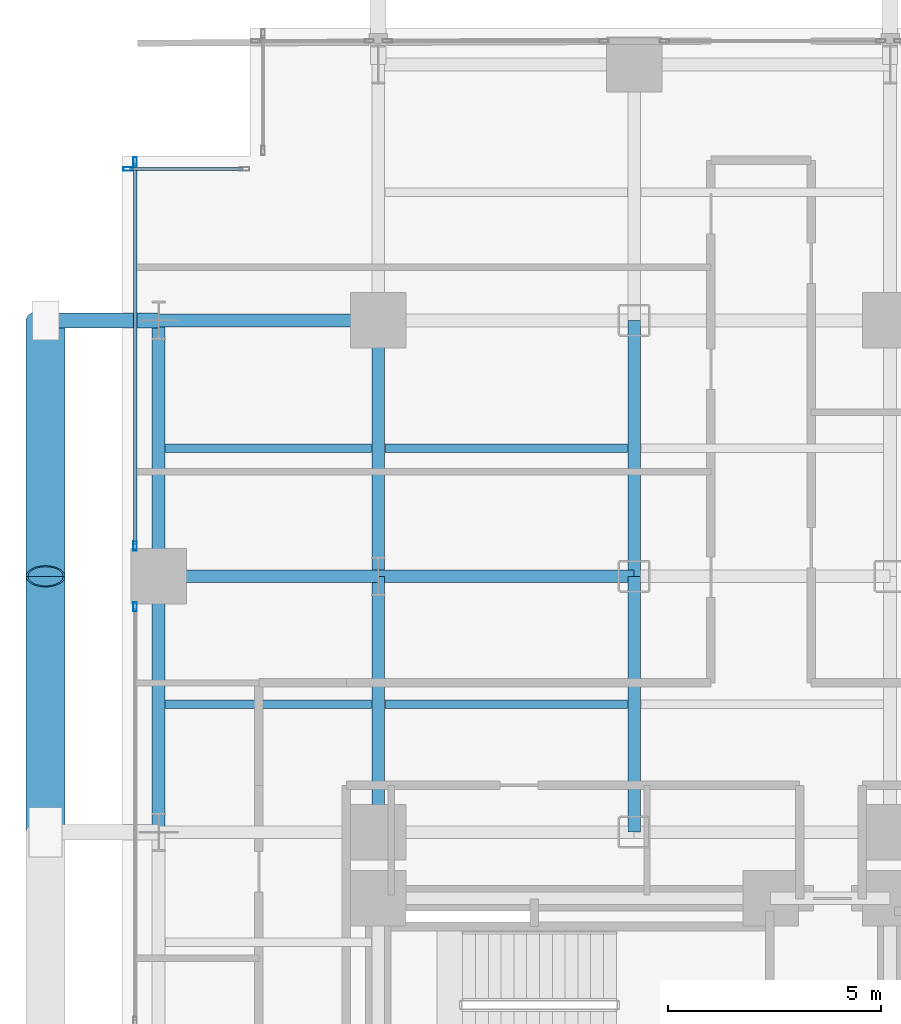
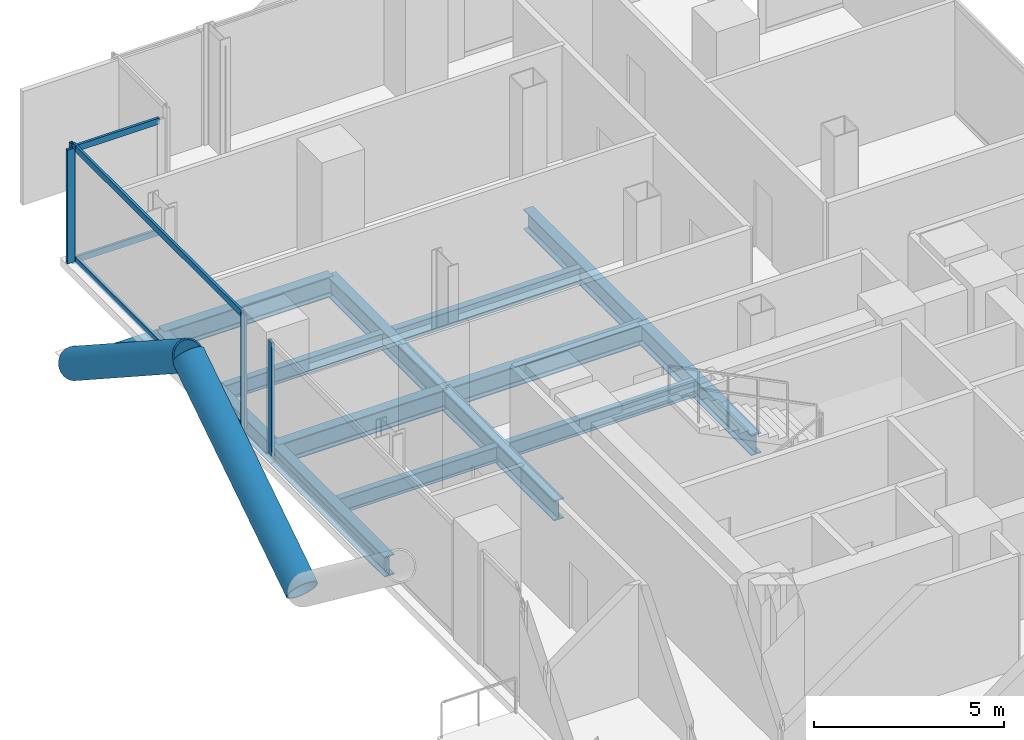
# One storey, part 13 of 25: 13 beams, 11 members, 3 elements without a shape of their own.
"""IFC4 building model written with IfcOpenShell, lengths in metres."""

from ifc_helpers import new_model, si_unit, direction, frame, origin, origin_2d, place, context, subcontext, project, spatial, hollow_rectangle, hollow_circle, i_section, extrude, material, layer, layer_set, material_profile, profile_set, type_object, element, aggregate, save


model = new_model("IFC4")

# Units and contexts
model_context = context("Model", 3, precision=1e-05, world=origin(), true_north=direction((0.0, 1.0)))
body_context = subcontext(model_context, "Body", "Model", "MODEL_VIEW")
ifc_project = project(units=[si_unit("LENGTHUNIT", "METRE"), si_unit("AREAUNIT", "SQUARE_METRE"), si_unit("VOLUMEUNIT", "CUBIC_METRE"), si_unit("PLANEANGLEUNIT", "RADIAN"), si_unit("MASSUNIT", "GRAM", prefix="KILO"), si_unit("THERMODYNAMICTEMPERATUREUNIT", "KELVIN"), si_unit("POWERUNIT", "WATT")], contexts=[model_context])

# Site, building, storey
site_placement = place(None, origin())
site = spatial("IfcSite", under=ifc_project, at=site_placement, CompositionType="ELEMENT")
building_placement = place(site_placement, origin())
building = spatial("IfcBuilding", under=site, at=building_placement, Name="Svarakhadi Broadcast Tower", CompositionType="ELEMENT")
storey_placement = place(building_placement, frame((0.0, 0.0, 63.60009765625)))
storey = spatial("IfcBuildingStorey", under=building, at=storey_placement, Name="L14", CompositionType="ELEMENT", Elevation=63.60009765625)

# Beams
ifc_material_1 = material(Name="Steel S355J2 (IS 2062 E350C)", Category="steel")
ifc_material_profile_1 = material_profile(ifc_material_1, i_section(OverallWidth=0.199951171875, OverallDepth=0.5, WebThickness=0.01025390625, FlangeThickness=0.01611328125, FilletRadius=0.02099609375, at=origin_2d()), Name="NPB 500x200x91")
ifc_profile_set_1 = profile_set([ifc_material_profile_1], Name="Steel S355J2 (IS 2062 E350C)")
beam_type_1 = type_object("IfcBeamType", Name="Beam_NPB500", PredefinedType="BEAM", material=ifc_profile_set_1)
for number, where, z_axis, x_axis, name in (
    (1, (1.010009765625, 32.14990234375, -0.5), (1.0, 0.0, 0.0), (0.0, 1.0, 0.0), "L14 Secondary Composite Beam SB005"),
    (2, (1.010009765625, 38.14990234375, -0.5), (1.0, 0.0, 0.0), (0.0, 1.0, 0.0), "L14 Secondary Composite Beam SB006"),
):
    element("IfcBeam", number, at=place(storey_placement, frame(where, z_axis=z_axis, x_axis=x_axis)), inside=storey, type_object=beam_type_1, Name=name, PredefinedType="BEAM", context=body_context, shape_type="SweptSolid", body=[
        extrude(i_section(OverallWidth=0.199951171875, OverallDepth=0.5, WebThickness=0.01025390625, FlangeThickness=0.01611328125, FilletRadius=0.02099609375, at=origin_2d()), origin(), (0.0, 0.0, 1.0), 4.830078125),
    ])
for number, where, z_axis, x_axis, name in (
    (3, (6.159912109375, 32.14990234375, -0.5), (1.0, 0.0, 0.0), (0.0, 1.0, 0.0), "L14 Secondary Composite Beam SB010"),
    (4, (6.159912109375, 38.14990234375, -0.5), (1.0, 0.0, 0.0), (0.0, 1.0, 0.0), "L14 Secondary Composite Beam SB011"),
):
    element("IfcBeam", number, at=place(storey_placement, frame(where, z_axis=z_axis, x_axis=x_axis)), inside=storey, type_object=beam_type_1, Name=name, PredefinedType="BEAM", context=body_context, shape_type="SweptSolid", body=[
        extrude(i_section(OverallWidth=0.199951171875, OverallDepth=0.5, WebThickness=0.01025390625, FlangeThickness=0.01611328125, FilletRadius=0.02099609375, at=origin_2d()), origin(), (0.0, 0.0, 1.0), 5.68017578125),
    ])

# Curtain wall, member
ifc_material_2 = material(Name="Anodised Bronze Aluminium AA 6063-T6", Category="aluminium")
ifc_layer = layer(ifc_material_2, 0.219970703125)
ifc_layer_set = layer_set([ifc_layer], Name="Anodised Bronze Aluminium AA 6063-T6")
curtain_wall_type = type_object("IfcCurtainWallType", Name="CW_Sys_02", PredefinedType="NOTDEFINED", material=ifc_layer_set)
curtain_wall_1_placement = place(storey_placement, origin())
curtain_wall_1 = element("IfcCurtainWall", 5, at=curtain_wall_1_placement, inside=storey, type_object=curtain_wall_type, Name="L14 West Curtain Wall 03 Bay 2", PredefinedType="NOTDEFINED")
ifc_material_profile_2 = material_profile(ifc_material_2, hollow_rectangle(XDim=0.0849609375, YDim=0.219970703125, WallThickness=0.006103515625, at=origin_2d()), Name="ALU MULLION 220x85x6")
ifc_profile_set_2 = profile_set([ifc_material_profile_2], Name="Anodised Bronze Aluminium AA 6063-T6")
member_type_1 = type_object("IfcMemberType", Name="CW_Sys_02_Mul", PredefinedType="MULLION", material=ifc_profile_set_2)
member_1_placement = place(storey_placement, frame((0.300048828125, 34.4375, 0.0), z_axis=(0.0, 0.0, 1.0), x_axis=(-1.0, 0.0, 0.0)))
member_1 = element("IfcMember", 6, at=member_1_placement, type_object=member_type_1, Name="CW-02 mullion 2", PredefinedType="MULLION", context=body_context, shape_type="SweptSolid", body=[
    extrude(hollow_rectangle(XDim=0.0849609375, YDim=0.219970703125, WallThickness=0.006103515625, at=origin_2d()), origin(), (0.0, 0.0, 1.0), 3.64990234375),
])
aggregate(curtain_wall_1, [member_1])

# Curtain wall, members
curtain_wall_2_placement = place(storey_placement, origin())
curtain_wall_2 = element("IfcCurtainWall", 7, at=curtain_wall_2_placement, inside=storey, type_object=curtain_wall_type, Name="L14 West Curtain Wall 03 Bay 3", PredefinedType="NOTDEFINED")
member_2_placement = place(storey_placement, frame((0.300048828125, 35.862548828125, 0.0), z_axis=(0.0, 0.0, 1.0), x_axis=(-1.0, 0.0, 0.0)))
member_2 = element("IfcMember", 8, at=member_2_placement, type_object=member_type_1, Name="CW-02 mullion 1", PredefinedType="MULLION", context=body_context, shape_type="SweptSolid", body=[
    extrude(hollow_rectangle(XDim=0.0849609375, YDim=0.219970703125, WallThickness=0.006103515625, at=origin_2d()), origin(), (0.0, 0.0, 1.0), 3.64990234375),
])
member_3_placement = place(storey_placement, frame((0.300048828125, 44.867431640625, 0.0), z_axis=(0.0, 0.0, 1.0), x_axis=(-1.0, 0.0, 0.0)))
member_3 = element("IfcMember", 9, at=member_3_placement, type_object=member_type_1, Name="CW-02 mullion 2", PredefinedType="MULLION", context=body_context, shape_type="SweptSolid", body=[
    extrude(hollow_rectangle(XDim=0.0849609375, YDim=0.219970703125, WallThickness=0.006103515625, at=origin_2d()), origin(), (0.0, 0.0, 1.0), 3.64990234375),
])

# Curtain wall, member
curtain_wall_3_placement = place(storey_placement, origin())
curtain_wall_3 = element("IfcCurtainWall", 10, at=curtain_wall_3_placement, inside=storey, type_object=curtain_wall_type, Name="L14 Unitised Facade Curtain Wall 04", PredefinedType="NOTDEFINED")
member_4_placement = place(storey_placement, frame((0.132568359375, 44.699951171875, 0.0), z_axis=(0.0, 0.0, 1.0), x_axis=(0.0, 1.0, 0.0)))
member_4 = element("IfcMember", 11, at=member_4_placement, type_object=member_type_1, Name="CW-02 mullion 1", PredefinedType="MULLION", context=body_context, shape_type="SweptSolid", body=[
    extrude(hollow_rectangle(XDim=0.0849609375, YDim=0.219970703125, WallThickness=0.006103515625, at=origin_2d()), origin(), (0.0, 0.0, 1.0), 3.64990234375),
])

# Member
ifc_material_profile_3 = material_profile(ifc_material_2, hollow_rectangle(XDim=0.074951171875, YDim=0.199951171875, WallThickness=0.0048828125, at=origin_2d()), Name="ALU TRANSOM 200x75x5")
ifc_profile_set_3 = profile_set([ifc_material_profile_3], Name="Anodised Bronze Aluminium AA 6063-T6")
member_type_2 = type_object("IfcMemberType", Name="CW_Sys_02_Trn", PredefinedType="USERDEFINED", material=ifc_profile_set_3)
member_5_placement = place(storey_placement, frame((0.300048828125, 35.905029296875, 0.037353515625), z_axis=(0.0, 1.0, 0.0), x_axis=(-1.0, 0.0, 0.0)))
member_5 = element("IfcMember", 12, at=member_5_placement, type_object=member_type_2, Name="CW-02 transom 1.1", ObjectType="TRANSOM", PredefinedType="USERDEFINED", context=body_context, shape_type="SweptSolid", body=[
    extrude(hollow_rectangle(XDim=0.074951171875, YDim=0.199951171875, WallThickness=0.0048828125, at=origin_2d()), origin(), (0.0, 0.0, 1.0), 8.919921875),
])

member_6_placement = place(storey_placement, frame((0.300048828125, 35.905029296875, 3.6123046875), z_axis=(0.0, 1.0, 0.0), x_axis=(-1.0, 0.0, 0.0)))
member_6 = element("IfcMember", 13, at=member_6_placement, type_object=member_type_2, Name="CW-02 transom 1.2", ObjectType="TRANSOM", PredefinedType="USERDEFINED", context=body_context, shape_type="SweptSolid", body=[
    extrude(hollow_rectangle(XDim=0.074951171875, YDim=0.199951171875, WallThickness=0.0048828125, at=origin_2d()), origin(), (0.0, 0.0, 1.0), 8.919921875),
])

aggregate(curtain_wall_2, [member_2, member_3, member_5, member_6])

member_7_placement = place(storey_placement, frame((0.175048828125, 44.699951171875, 0.037353515625), z_axis=(1.0, 0.0, 0.0), x_axis=(0.0, 1.0, 0.0)))
member_7 = element("IfcMember", 14, at=member_7_placement, type_object=member_type_2, Name="CW-02 transom 1.1", ObjectType="TRANSOM", PredefinedType="USERDEFINED", context=body_context, shape_type="SweptSolid", body=[
    extrude(hollow_rectangle(XDim=0.074951171875, YDim=0.199951171875, WallThickness=0.0048828125, at=origin_2d()), origin(), (0.0, 0.0, 1.0), 2.64990234375),
])

member_8_placement = place(storey_placement, frame((0.175048828125, 44.699951171875, 3.6123046875), z_axis=(1.0, 0.0, 0.0), x_axis=(0.0, 1.0, 0.0)))
member_8 = element("IfcMember", 15, at=member_8_placement, type_object=member_type_2, Name="CW-02 transom 1.2", ObjectType="TRANSOM", PredefinedType="USERDEFINED", context=body_context, shape_type="SweptSolid", body=[
    extrude(hollow_rectangle(XDim=0.074951171875, YDim=0.199951171875, WallThickness=0.0048828125, at=origin_2d()), origin(), (0.0, 0.0, 1.0), 2.64990234375),
])

aggregate(curtain_wall_3, [member_4, member_7, member_8])

# Members
ifc_material_3 = material(Name="Steel S460ML (IS 2062 E450BR)", Category="steel")
ifc_material_profile_4 = material_profile(ifc_material_3, hollow_circle(Radius=0.45703125, WallThickness=0.044921875, at=origin_2d()), Name="CHS 914x45")
ifc_profile_set_4 = profile_set([ifc_material_profile_4], Name="Steel S460ML (IS 2062 E450BR)")
member_type_3 = type_object("IfcMemberType", Name="Exo_Brace_CHS914", PredefinedType="BRACE", material=ifc_profile_set_4)
for number, where, z_axis, x_axis, name in (
    (16, (-1.800048828125, 29.14990234375, -0.427978515625), (0.0, 0.838434262763, 0.545002740383), (-1.0, 0.0, 0.0), "L14 Exposed Bronze Exoskeleton Diagonal W06"),
    (17, (-1.800048828125, 41.14990234375, -0.427978515625), (0.0, -0.838434262763, 0.545002740383), (1.0, 0.0, 0.0), "L14 Exposed Bronze Exoskeleton Diagonal W07"),
):
    element("IfcMember", number, at=place(storey_placement, frame(where, z_axis=z_axis, x_axis=x_axis)), inside=storey, type_object=member_type_3, Name=name, PredefinedType="BRACE", context=body_context, shape_type="SweptSolid", body=[
        extrude(hollow_circle(Radius=0.45703125, WallThickness=0.044921875, at=origin_2d()), origin(), (0.0, 0.0, 1.0), 7.15625),
    ])
ifc_material_profile_5 = material_profile(ifc_material_3, hollow_circle(Radius=0.177734375, WallThickness=0.02001953125, at=origin_2d()), Name="CHS 355.6x20")
ifc_profile_set_5 = profile_set([ifc_material_profile_5], Name="Steel S460ML (IS 2062 E450BR)")
member_type_4 = type_object("IfcMemberType", Name="Exo_Radial_Strut_Z1", PredefinedType="STRUT", material=ifc_profile_set_5)
member_9_placement = place(storey_placement, frame((-1.800048828125, 41.14990234375, -0.427978515625), z_axis=(1.0, 0.0, 0.0), x_axis=(0.0, 1.0, 0.0)))
element("IfcMember", 18, at=member_9_placement, inside=storey, type_object=member_type_4, Name="L14 Exoskeleton Radial Tie Strut W08", PredefinedType="STRUT", context=body_context, shape_type="SweptSolid", body=[
    extrude(hollow_circle(Radius=0.177734375, WallThickness=0.02001953125, at=origin_2d()), origin(), (0.0, 0.0, 1.0), 2.650146484375),
])

# Beams
ifc_material_profile_6 = material_profile(ifc_material_1, i_section(OverallWidth=0.300048828125, OverallDepth=0.64990234375, WebThickness=0.01611328125, FlangeThickness=0.031005859375, FilletRadius=0.027099609375, at=origin_2d()), Name="WPB 650x300x225")
ifc_profile_set_6 = profile_set([ifc_material_profile_6], Name="Steel S355J2 (IS 2062 E350C)")
beam_type_2 = type_object("IfcBeamType", Name="Girder_WPB650", PredefinedType="USERDEFINED", material=ifc_profile_set_6)
beam_1_placement = place(storey_placement, frame((0.85009765625, 35.14990234375, -0.5751953125), z_axis=(1.0, 0.0, 0.0), x_axis=(0.0, 1.0, 0.0)))
element("IfcBeam", 19, at=beam_1_placement, inside=storey, type_object=beam_type_2, Name="L14 Primary E-W Girder G037", ObjectType="GIRDER", PredefinedType="USERDEFINED", context=body_context, shape_type="SweptSolid", body=[
    extrude(i_section(OverallWidth=0.300048828125, OverallDepth=0.64990234375, WebThickness=0.01611328125, FlangeThickness=0.031005859375, FilletRadius=0.027099609375, at=origin_2d()), origin(), (0.0, 0.0, 1.0), 5.14990234375),
])
beam_2_placement = place(storey_placement, frame((6.0, 35.14990234375, -0.5751953125), z_axis=(1.0, 0.0, 0.0), x_axis=(0.0, 1.0, 0.0)))
element("IfcBeam", 20, at=beam_2_placement, inside=storey, type_object=beam_type_2, Name="L14 Primary E-W Girder G038", ObjectType="GIRDER", PredefinedType="USERDEFINED", context=body_context, shape_type="SweptSolid", body=[
    extrude(i_section(OverallWidth=0.300048828125, OverallDepth=0.64990234375, WebThickness=0.01611328125, FlangeThickness=0.031005859375, FilletRadius=0.027099609375, at=origin_2d()), origin(), (0.0, 0.0, 1.0), 6.0),
])
beam_3_placement = place(storey_placement, frame((0.85009765625, 41.14990234375, -0.5751953125), z_axis=(1.0, 0.0, 0.0), x_axis=(0.0, 1.0, 0.0)))
element("IfcBeam", 21, at=beam_3_placement, inside=storey, type_object=beam_type_2, Name="L14 Primary E-W Girder G040", ObjectType="GIRDER", PredefinedType="USERDEFINED", context=body_context, shape_type="SweptSolid", body=[
    extrude(i_section(OverallWidth=0.300048828125, OverallDepth=0.64990234375, WebThickness=0.01611328125, FlangeThickness=0.031005859375, FilletRadius=0.027099609375, at=origin_2d()), origin(), (0.0, 0.0, 1.0), 5.14990234375),
])
for number, where, z_axis, x_axis, name in (
    (22, (0.85009765625, 29.14990234375, -0.5751953125), (0.0, 1.0, 0.0), (-1.0, 0.0, 0.0), "L14 Primary N-S Girder G049"),
    (23, (0.85009765625, 35.14990234375, -0.5751953125), (0.0, 1.0, 0.0), (-1.0, 0.0, 0.0), "L14 Primary N-S Girder G050"),
    (24, (6.0, 29.14990234375, -0.5751953125), (0.0, 1.0, 0.0), (-1.0, 0.0, 0.0), "L14 Primary N-S Girder G055"),
    (25, (6.0, 35.14990234375, -0.5751953125), (0.0, 1.0, 0.0), (-1.0, 0.0, 0.0), "L14 Primary N-S Girder G056"),
    (26, (12.0, 29.14990234375, -0.5751953125), (0.0, 1.0, 0.0), (-1.0, 0.0, 0.0), "L14 Primary N-S Girder G061"),
    (27, (12.0, 35.14990234375, -0.5751953125), (0.0, 1.0, 0.0), (-1.0, 0.0, 0.0), "L14 Primary N-S Girder G062"),
):
    element("IfcBeam", number, at=place(storey_placement, frame(where, z_axis=z_axis, x_axis=x_axis)), inside=storey, type_object=beam_type_2, Name=name, ObjectType="GIRDER", PredefinedType="USERDEFINED", context=body_context, shape_type="SweptSolid", body=[
        extrude(i_section(OverallWidth=0.300048828125, OverallDepth=0.64990234375, WebThickness=0.01611328125, FlangeThickness=0.031005859375, FilletRadius=0.027099609375, at=origin_2d()), origin(), (0.0, 0.0, 1.0), 6.0),
    ])

save(model, "model.ifc")
